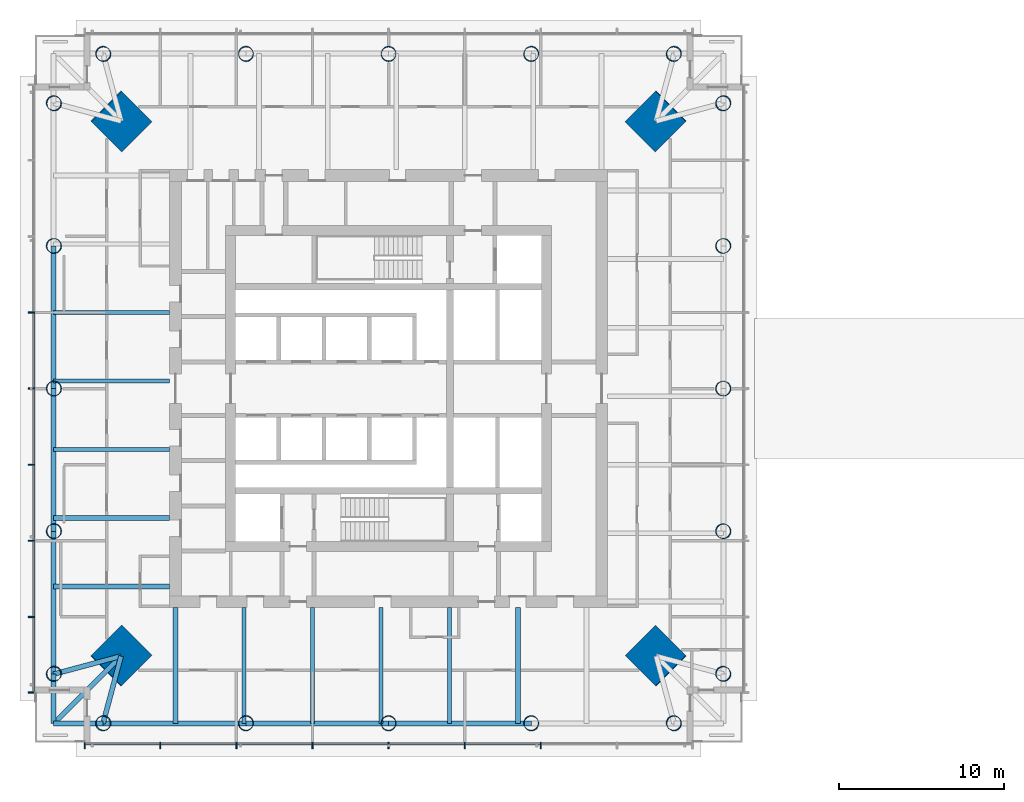
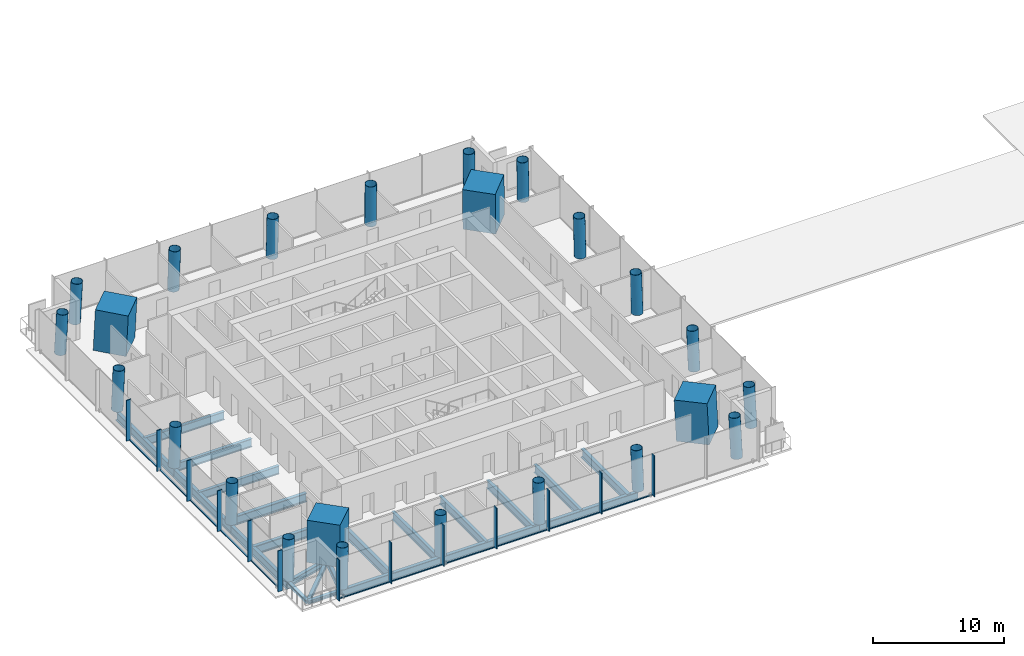
# One storey, part 1 of 16: 24 columns, 24 members, 22 beams, 2 elements without a shape of their own.
"""IFC4 building model written with IfcOpenShell, lengths in metres."""

from ifc_helpers import new_model, si_unit, direction, frame, origin, origin_2d, place, context, subcontext, project, spatial, rectangle, hollow_circle, i_section, extrude, material, material_profile, profile_set, type_object, element, aggregate, save


model = new_model("IFC4")

# Units and contexts
model_context = context("Model", 3, precision=1e-05, world=origin(), true_north=direction((0.0, 1.0)))
body_context = subcontext(model_context, "Body", "Model", "MODEL_VIEW")
ifc_project = project(units=[si_unit("LENGTHUNIT", "METRE"), si_unit("AREAUNIT", "SQUARE_METRE"), si_unit("VOLUMEUNIT", "CUBIC_METRE"), si_unit("PLANEANGLEUNIT", "RADIAN"), si_unit("MASSUNIT", "GRAM", prefix="KILO")], contexts=[model_context])

# Site, building, storey
site_placement = place(None, origin())
site = spatial("IfcSite", under=ifc_project, at=site_placement, CompositionType="ELEMENT")
building_placement = place(site_placement, origin())
building = spatial("IfcBuilding", under=site, at=building_placement, Name="Ostroluk Exchange", CompositionType="ELEMENT")
storey_placement = place(building_placement, frame((0.0, 0.0, 135.0)))
storey = spatial("IfcBuildingStorey", under=building, at=storey_placement, Name="L34", CompositionType="ELEMENT", Elevation=135.0)

# Columns
ifc_material_1 = material(Name="Concrete C50/60", Category="concrete")
ifc_material_profile_1 = material_profile(ifc_material_1, rectangle(XDim=2.60009765625, YDim=2.60009765625, at=origin_2d()), Name="RC 2600x2600")
ifc_profile_set_1 = profile_set([ifc_material_profile_1], Name="Concrete C50/60")
column_type_1 = type_object("IfcColumnType", Name="Mega column RC 2600x2600", PredefinedType="COLUMN", material=ifc_profile_set_1)
for number, where, z_axis, x_axis, name in (
    (1, (61.257080078125, 62.257080078125, 0.0), (-0.031898107953, -0.031898107953, 0.998981992539), (0.707106781187, -0.707106781187, 0.0), "T1 mega column NE"),
    (2, (28.742919921875, 62.257080078125, 0.0), (0.031898107953, -0.031898107953, 0.998981992539), (0.707106781187, 0.707106781187, 0.0), "T1 mega column NW"),
    (3, (28.742919921875, 29.742919921875, 0.0), (0.031898107953, 0.031898107953, 0.998981992539), (-0.707106781187, 0.707106781187, 0.0), "T1 mega column SW"),
    (4, (61.257080078125, 29.742919921875, 0.0), (-0.031898107953, 0.031898107953, 0.998981992539), (-0.707106781187, -0.707106781187, 0.0), "T1 mega column SE"),
):
    element("IfcColumn", number, at=place(storey_placement, frame(where, z_axis=z_axis, x_axis=x_axis)), inside=storey, type_object=column_type_1, Name=name, PredefinedType="COLUMN", context=body_context, shape_type="SweptSolid", body=[
        extrude(rectangle(XDim=2.60009765625, YDim=2.60009765625, at=origin_2d()), origin(), (0.0, 0.0, 1.0), 3.803955078125),
    ])
ifc_material_2 = material(Name="Steel S460", Category="steel")
ifc_material_profile_2 = material_profile(ifc_material_2, hollow_circle(Radius=0.45703125, WallThickness=0.030029296875, at=origin_2d()), Name="CHS 914x30")
ifc_profile_set_2 = profile_set([ifc_material_profile_2], Name="Steel S460")
column_type_2 = type_object("IfcColumnType", Name="Perimeter column CHS 914x30", PredefinedType="COLUMN", material=ifc_profile_set_2)
for number, where, z_axis, x_axis, name in (
    (5, (65.357177734375, 28.642822265625, 0.0), (-0.031962158256, 0.031962158256, 0.998977898093), (-0.707106781187, -0.707106781187, 0.0), "T1 east face column E0"),
    (6, (65.357177734375, 63.357177734375, 0.0), (-0.031962158256, -0.031962158256, 0.998977898093), (0.707106781187, -0.707106781187, 0.0), "T1 east face column E1"),
):
    element("IfcColumn", number, at=place(storey_placement, frame(where, z_axis=z_axis, x_axis=x_axis)), inside=storey, type_object=column_type_2, Name=name, PredefinedType="COLUMN", context=body_context, shape_type="SweptSolid", body=[
        extrude(hollow_circle(Radius=0.45703125, WallThickness=0.030029296875, at=origin_2d()), origin(), (0.0, 0.0, 1.0), 3.803955078125),
    ])
column_1_placement = place(storey_placement, frame((65.357177734375, 37.321533203125, 0.0), z_axis=(-0.031974442509, 0.015923015547, 0.999361842679), x_axis=(-0.445775033553, -0.895145027055, 0.0)))
element("IfcColumn", 7, at=column_1_placement, inside=storey, type_object=column_type_2, Name="T1 east face column I1", PredefinedType="COLUMN", context=body_context, shape_type="SweptSolid", body=[
    extrude(hollow_circle(Radius=0.45703125, WallThickness=0.030029296875, at=origin_2d()), origin(), (0.0, 0.0, 1.0), 3.802490234375),
])
column_2_placement = place(storey_placement, frame((65.357177734375, 46.0, 0.0), z_axis=(-0.031978496719, 0.0, 0.999488557087), x_axis=(0.0, -1.0, 0.0)))
element("IfcColumn", 8, at=column_2_placement, inside=storey, type_object=column_type_2, Name="T1 east face column I2", PredefinedType="COLUMN", context=body_context, shape_type="SweptSolid", body=[
    extrude(hollow_circle(Radius=0.45703125, WallThickness=0.030029296875, at=origin_2d()), origin(), (0.0, 0.0, 1.0), 3.802001953125),
])
column_3_placement = place(storey_placement, frame((65.357177734375, 54.678466796875, 0.0), z_axis=(-0.031974442509, -0.015923015547, 0.999361842679), x_axis=(0.445775033553, -0.895145027055, 0.0)))
element("IfcColumn", 9, at=column_3_placement, inside=storey, type_object=column_type_2, Name="T1 east face column I3", PredefinedType="COLUMN", context=body_context, shape_type="SweptSolid", body=[
    extrude(hollow_circle(Radius=0.45703125, WallThickness=0.030029296875, at=origin_2d()), origin(), (0.0, 0.0, 1.0), 3.802490234375),
])
for number, where, z_axis, x_axis, name in (
    (10, (62.357177734375, 66.357177734375, 0.0), (-0.031962158256, -0.031962158256, 0.998977898093), (0.707106781187, -0.707106781187, 0.0), "T1 north face column E0"),
    (11, (27.642822265625, 66.357177734375, 0.0), (0.031962158256, -0.031962158256, 0.998977898093), (0.707106781187, 0.707106781187, 0.0), "T1 north face column E1"),
):
    element("IfcColumn", number, at=place(storey_placement, frame(where, z_axis=z_axis, x_axis=x_axis)), inside=storey, type_object=column_type_2, Name=name, PredefinedType="COLUMN", context=body_context, shape_type="SweptSolid", body=[
        extrude(hollow_circle(Radius=0.45703125, WallThickness=0.030029296875, at=origin_2d()), origin(), (0.0, 0.0, 1.0), 3.803955078125),
    ])
column_4_placement = place(storey_placement, frame((53.678466796875, 66.357177734375, 0.0), z_axis=(-0.015923015547, -0.031974442509, 0.999361842679), x_axis=(0.895145027055, -0.445775033553, 0.0)))
element("IfcColumn", 12, at=column_4_placement, inside=storey, type_object=column_type_2, Name="T1 north face column I1", PredefinedType="COLUMN", context=body_context, shape_type="SweptSolid", body=[
    extrude(hollow_circle(Radius=0.45703125, WallThickness=0.030029296875, at=origin_2d()), origin(), (0.0, 0.0, 1.0), 3.802490234375),
])
column_5_placement = place(storey_placement, frame((45.0, 66.357177734375, 0.0), z_axis=(0.0, -0.031978496719, 0.999488557087), x_axis=(1.0, 0.0, 0.0)))
element("IfcColumn", 13, at=column_5_placement, inside=storey, type_object=column_type_2, Name="T1 north face column I2", PredefinedType="COLUMN", context=body_context, shape_type="SweptSolid", body=[
    extrude(hollow_circle(Radius=0.45703125, WallThickness=0.030029296875, at=origin_2d()), origin(), (0.0, 0.0, 1.0), 3.802001953125),
])
column_6_placement = place(storey_placement, frame((36.321533203125, 66.357177734375, 0.0), z_axis=(0.015923015547, -0.031974442509, 0.999361842679), x_axis=(0.895145027055, 0.445775033553, 0.0)))
element("IfcColumn", 14, at=column_6_placement, inside=storey, type_object=column_type_2, Name="T1 north face column I3", PredefinedType="COLUMN", context=body_context, shape_type="SweptSolid", body=[
    extrude(hollow_circle(Radius=0.45703125, WallThickness=0.030029296875, at=origin_2d()), origin(), (0.0, 0.0, 1.0), 3.802490234375),
])
for number, where, z_axis, x_axis, name in (
    (15, (24.642822265625, 63.357177734375, 0.0), (0.031962158256, -0.031962158256, 0.998977898093), (0.707106781187, 0.707106781187, 0.0), "T1 west face column E0"),
    (16, (24.642822265625, 28.642822265625, 0.0), (0.031962158256, 0.031962158256, 0.998977898093), (-0.707106781187, 0.707106781187, 0.0), "T1 west face column E1"),
):
    element("IfcColumn", number, at=place(storey_placement, frame(where, z_axis=z_axis, x_axis=x_axis)), inside=storey, type_object=column_type_2, Name=name, PredefinedType="COLUMN", context=body_context, shape_type="SweptSolid", body=[
        extrude(hollow_circle(Radius=0.45703125, WallThickness=0.030029296875, at=origin_2d()), origin(), (0.0, 0.0, 1.0), 3.803955078125),
    ])
column_7_placement = place(storey_placement, frame((24.642822265625, 54.678466796875, 0.0), z_axis=(0.031974442509, -0.015923015547, 0.999361842679), x_axis=(0.445775033553, 0.895145027055, 0.0)))
element("IfcColumn", 17, at=column_7_placement, inside=storey, type_object=column_type_2, Name="T1 west face column I1", PredefinedType="COLUMN", context=body_context, shape_type="SweptSolid", body=[
    extrude(hollow_circle(Radius=0.45703125, WallThickness=0.030029296875, at=origin_2d()), origin(), (0.0, 0.0, 1.0), 3.802490234375),
])
column_8_placement = place(storey_placement, frame((24.642822265625, 46.0, 0.0), z_axis=(0.031978496719, 0.0, 0.999488557087), x_axis=(0.0, 1.0, 0.0)))
element("IfcColumn", 18, at=column_8_placement, inside=storey, type_object=column_type_2, Name="T1 west face column I2", PredefinedType="COLUMN", context=body_context, shape_type="SweptSolid", body=[
    extrude(hollow_circle(Radius=0.45703125, WallThickness=0.030029296875, at=origin_2d()), origin(), (0.0, 0.0, 1.0), 3.802001953125),
])
column_9_placement = place(storey_placement, frame((24.642822265625, 37.321533203125, 0.0), z_axis=(0.031974442509, 0.015923015547, 0.999361842679), x_axis=(-0.445775033553, 0.895145027055, 0.0)))
element("IfcColumn", 19, at=column_9_placement, inside=storey, type_object=column_type_2, Name="T1 west face column I3", PredefinedType="COLUMN", context=body_context, shape_type="SweptSolid", body=[
    extrude(hollow_circle(Radius=0.45703125, WallThickness=0.030029296875, at=origin_2d()), origin(), (0.0, 0.0, 1.0), 3.802490234375),
])
for number, where, z_axis, x_axis, name in (
    (20, (27.642822265625, 25.642822265625, 0.0), (0.031962158256, 0.031962158256, 0.998977898093), (-0.707106781187, 0.707106781187, 0.0), "T1 south face column E0"),
    (21, (62.357177734375, 25.642822265625, 0.0), (-0.031962158256, 0.031962158256, 0.998977898093), (-0.707106781187, -0.707106781187, 0.0), "T1 south face column E1"),
):
    element("IfcColumn", number, at=place(storey_placement, frame(where, z_axis=z_axis, x_axis=x_axis)), inside=storey, type_object=column_type_2, Name=name, PredefinedType="COLUMN", context=body_context, shape_type="SweptSolid", body=[
        extrude(hollow_circle(Radius=0.45703125, WallThickness=0.030029296875, at=origin_2d()), origin(), (0.0, 0.0, 1.0), 3.803955078125),
    ])
column_10_placement = place(storey_placement, frame((36.321533203125, 25.642822265625, 0.0), z_axis=(0.015923015547, 0.031974442509, 0.999361842679), x_axis=(-0.895145027055, 0.445775033553, 0.0)))
element("IfcColumn", 22, at=column_10_placement, inside=storey, type_object=column_type_2, Name="T1 south face column I1", PredefinedType="COLUMN", context=body_context, shape_type="SweptSolid", body=[
    extrude(hollow_circle(Radius=0.45703125, WallThickness=0.030029296875, at=origin_2d()), origin(), (0.0, 0.0, 1.0), 3.802490234375),
])
column_11_placement = place(storey_placement, frame((45.0, 25.642822265625, 0.0), z_axis=(0.0, 0.031978496719, 0.999488557087), x_axis=(-1.0, 0.0, 0.0)))
element("IfcColumn", 23, at=column_11_placement, inside=storey, type_object=column_type_2, Name="T1 south face column I2", PredefinedType="COLUMN", context=body_context, shape_type="SweptSolid", body=[
    extrude(hollow_circle(Radius=0.45703125, WallThickness=0.030029296875, at=origin_2d()), origin(), (0.0, 0.0, 1.0), 3.802001953125),
])
column_12_placement = place(storey_placement, frame((53.678466796875, 25.642822265625, 0.0), z_axis=(-0.015923015547, 0.031974442509, 0.999361842679), x_axis=(-0.895145027055, -0.445775033553, 0.0)))
element("IfcColumn", 24, at=column_12_placement, inside=storey, type_object=column_type_2, Name="T1 south face column I3", PredefinedType="COLUMN", context=body_context, shape_type="SweptSolid", body=[
    extrude(hollow_circle(Radius=0.45703125, WallThickness=0.030029296875, at=origin_2d()), origin(), (0.0, 0.0, 1.0), 3.802490234375),
])

# Beams
ifc_material_3 = material(Name="Steel S355", Category="steel")
ifc_material_profile_3 = material_profile(ifc_material_3, i_section(OverallWidth=0.300048828125, OverallDepth=0.300048828125, WebThickness=0.010986328125, FlangeThickness=0.01904296875, FilletRadius=0.027099609375, at=origin_2d()), Name="HEB 300")
ifc_profile_set_3 = profile_set([ifc_material_profile_3], Name="Steel S355")
beam_type_1 = type_object("IfcBeamType", Name="Balcony beam HEB 300", PredefinedType="BEAM", material=ifc_profile_set_3)
for number, where, z_axis, x_axis, name in (
    (25, (24.642822265625, 28.642822265625, -0.330078125), (0.0, -1.0, 0.0), (1.0, 0.0, 0.0), "T1 west balcony beam a"),
    (26, (27.642822265625, 25.642822265625, -0.330078125), (-1.0, 0.0, 0.0), (0.0, -1.0, 0.0), "T1 west balcony beam b"),
):
    element("IfcBeam", number, at=place(storey_placement, frame(where, z_axis=z_axis, x_axis=x_axis)), inside=storey, type_object=beam_type_1, Name=name, PredefinedType="BEAM", context=body_context, shape_type="SweptSolid", body=[
        extrude(i_section(OverallWidth=0.300048828125, OverallDepth=0.300048828125, WebThickness=0.010986328125, FlangeThickness=0.01904296875, FilletRadius=0.027099609375, at=origin_2d()), origin(), (0.0, 0.0, 1.0), 3.0),
    ])
beam_1_placement = place(storey_placement, frame((28.742919921875, 29.742919921875, -0.330078125), z_axis=(-0.707106781187, -0.707106781187, 0.0), x_axis=(0.707106781187, -0.707106781187, 0.0)))
element("IfcBeam", 27, at=beam_1_placement, inside=storey, type_object=beam_type_1, Name="T1 west balcony beam c", PredefinedType="BEAM", context=body_context, shape_type="SweptSolid", body=[
    extrude(i_section(OverallWidth=0.300048828125, OverallDepth=0.300048828125, WebThickness=0.010986328125, FlangeThickness=0.01904296875, FilletRadius=0.027099609375, at=origin_2d()), origin(), (0.0, 0.0, 1.0), 5.79833984375),
])
ifc_material_4 = material(Name="Steel S355", Category="steel")
ifc_material_profile_4 = material_profile(ifc_material_4, i_section(OverallWidth=0.300048828125, OverallDepth=0.550048828125, WebThickness=0.014892578125, FlangeThickness=0.029052734375, FilletRadius=0.027099609375, at=origin_2d()), Name="HEB 550")
ifc_profile_set_4 = profile_set([ifc_material_profile_4], Name="Steel S355")
beam_type_2 = type_object("IfcBeamType", Name="Corner edge beam HEB 550", PredefinedType="SPANDREL", material=ifc_profile_set_4)
for number, where, z_axis, x_axis, name in (
    (28, (28.742919921875, 29.742919921875, -0.455078125), (-0.965838624319, -0.259144268261, 0.0), (0.259144268261, -0.965838624319, 0.0), "T1 west corner edge beam a"),
    (29, (28.742919921875, 29.742919921875, -0.455078125), (-0.259144268261, -0.965838624319, 0.0), (0.965838624319, -0.259144268261, 0.0), "T1 west corner edge beam b"),
):
    element("IfcBeam", number, at=place(storey_placement, frame(where, z_axis=z_axis, x_axis=x_axis)), inside=storey, type_object=beam_type_2, Name=name, PredefinedType="SPANDREL", context=body_context, shape_type="SweptSolid", body=[
        extrude(i_section(OverallWidth=0.300048828125, OverallDepth=0.550048828125, WebThickness=0.014892578125, FlangeThickness=0.029052734375, FilletRadius=0.027099609375, at=origin_2d()), origin(), (0.0, 0.0, 1.0), 4.2451171875),
    ])
ifc_material_5 = material(Name="Steel S355", Category="steel")
ifc_material_profile_5 = material_profile(ifc_material_5, i_section(OverallWidth=0.302978515625, OverallDepth=0.81396484375, WebThickness=0.02099609375, FlangeThickness=0.0400390625, FilletRadius=0.030029296875, at=origin_2d()), Name="HEM 800")
ifc_profile_set_5 = profile_set([ifc_material_profile_5], Name="Steel S355")
beam_type_3 = type_object("IfcBeamType", Name="Floor beam HEM 800", PredefinedType="BEAM", material=ifc_profile_set_5)
for number, where, z_axis, x_axis, name in (
    (30, (31.699951171875, 38.133056640625, -0.5869140625), (-1.0, 0.0, 0.0), (0.0, -1.0, 0.0), "T1 west floor beam 5"),
    (31, (31.699951171875, 33.9697265625, -0.5869140625), (-1.0, 0.0, 0.0), (0.0, -1.0, 0.0), "T1 west floor beam 6"),
    (32, (52.866943359375, 32.699951171875, -0.5869140625), (0.0, -1.0, 0.0), (1.0, 0.0, 0.0), "T1 south floor beam 5"),
):
    element("IfcBeam", number, at=place(storey_placement, frame(where, z_axis=z_axis, x_axis=x_axis)), inside=storey, type_object=beam_type_3, Name=name, PredefinedType="BEAM", context=body_context, shape_type="SweptSolid", body=[
        extrude(i_section(OverallWidth=0.302978515625, OverallDepth=0.81396484375, WebThickness=0.02099609375, FlangeThickness=0.0400390625, FilletRadius=0.030029296875, at=origin_2d()), origin(), (0.0, 0.0, 1.0), 7.05712890625),
    ])
ifc_material_6 = material(Name="Steel S355", Category="steel")
ifc_material_profile_6 = material_profile(ifc_material_6, i_section(OverallWidth=0.26708984375, OverallDepth=0.761962890625, WebThickness=0.014404296875, FlangeThickness=0.021484375, FilletRadius=0.01708984375, at=origin_2d()), Name="IPE 750x173")
ifc_profile_set_6 = profile_set([ifc_material_profile_6], Name="Steel S355")
beam_type_4 = type_object("IfcBeamType", Name="Floor beam IPE 750x173", PredefinedType="BEAM", material=ifc_profile_set_6)
for number, where, z_axis, x_axis, name in (
    (33, (31.699951171875, 50.623291015625, -0.56103515625), (-1.0, 0.0, 0.0), (0.0, -1.0, 0.0), "T1 west floor beam 2"),
    (34, (31.699951171875, 46.459716796875, -0.56103515625), (-1.0, 0.0, 0.0), (0.0, -1.0, 0.0), "T1 west floor beam 3"),
    (35, (31.699951171875, 42.29638671875, -0.56103515625), (-1.0, 0.0, 0.0), (0.0, -1.0, 0.0), "T1 west floor beam 4"),
    (36, (36.21337890625, 32.699951171875, -0.56103515625), (0.0, -1.0, 0.0), (1.0, 0.0, 0.0), "T1 south floor beam 1"),
    (37, (40.376708984375, 32.699951171875, -0.56103515625), (0.0, -1.0, 0.0), (1.0, 0.0, 0.0), "T1 south floor beam 2"),
    (38, (44.540283203125, 32.699951171875, -0.56103515625), (0.0, -1.0, 0.0), (1.0, 0.0, 0.0), "T1 south floor beam 3"),
    (39, (48.70361328125, 32.699951171875, -0.56103515625), (0.0, -1.0, 0.0), (1.0, 0.0, 0.0), "T1 south floor beam 4"),
):
    element("IfcBeam", number, at=place(storey_placement, frame(where, z_axis=z_axis, x_axis=x_axis)), inside=storey, type_object=beam_type_4, Name=name, PredefinedType="BEAM", context=body_context, shape_type="SweptSolid", body=[
        extrude(i_section(OverallWidth=0.26708984375, OverallDepth=0.761962890625, WebThickness=0.014404296875, FlangeThickness=0.021484375, FilletRadius=0.01708984375, at=origin_2d()), origin(), (0.0, 0.0, 1.0), 7.05712890625),
    ])
ifc_material_7 = material(Name="Steel S355", Category="steel")
ifc_material_profile_7 = material_profile(ifc_material_7, i_section(OverallWidth=0.300048828125, OverallDepth=0.89990234375, WebThickness=0.0185546875, FlangeThickness=0.034912109375, FilletRadius=0.030029296875, at=origin_2d()), Name="HEB 900")
ifc_profile_set_7 = profile_set([ifc_material_profile_7], Name="Steel S355")
beam_type_5 = type_object("IfcBeamType", Name="Girder HEB 900", PredefinedType="BEAM", material=ifc_profile_set_7)
beam_2_placement = place(storey_placement, frame((32.050048828125, 32.699951171875, -0.6298828125), z_axis=(0.0, -1.0, 0.0), x_axis=(1.0, 0.0, 0.0)))
element("IfcBeam", 40, at=beam_2_placement, inside=storey, type_object=beam_type_5, Name="T1 west girder", PredefinedType="BEAM", context=body_context, shape_type="SweptSolid", body=[
    extrude(i_section(OverallWidth=0.300048828125, OverallDepth=0.89990234375, WebThickness=0.0185546875, FlangeThickness=0.034912109375, FilletRadius=0.030029296875, at=origin_2d()), origin(), (0.0, 0.0, 1.0), 7.05712890625),
])
ifc_material_8 = material(Name="Steel S355", Category="steel")
ifc_material_profile_8 = material_profile(ifc_material_8, i_section(OverallWidth=0.300048828125, OverallDepth=0.800048828125, WebThickness=0.017578125, FlangeThickness=0.032958984375, FilletRadius=0.030029296875, at=origin_2d()), Name="HEB 800")
ifc_profile_set_8 = profile_set([ifc_material_profile_8], Name="Steel S355")
beam_type_6 = type_object("IfcBeamType", Name="Moment-connected edge beam HEB 800", PredefinedType="SPANDREL", material=ifc_profile_set_8)
for number, where, z_axis, x_axis, name in (
    (41, (24.642822265625, 54.678466796875, -0.580078125), (0.0, -1.0, 0.0), (1.0, 0.0, 0.0), "T1 west edge beam 2"),
    (42, (24.642822265625, 46.0, -0.580078125), (0.0, -1.0, 0.0), (1.0, 0.0, 0.0), "T1 west edge beam 3"),
):
    element("IfcBeam", number, at=place(storey_placement, frame(where, z_axis=z_axis, x_axis=x_axis)), inside=storey, type_object=beam_type_6, Name=name, PredefinedType="SPANDREL", context=body_context, shape_type="SweptSolid", body=[
        extrude(i_section(OverallWidth=0.300048828125, OverallDepth=0.800048828125, WebThickness=0.017578125, FlangeThickness=0.032958984375, FilletRadius=0.030029296875, at=origin_2d()), origin(), (0.0, 0.0, 1.0), 8.678466796875),
    ])
for number, where, z_axis, x_axis, name in (
    (43, (24.642822265625, 37.321533203125, -0.580078125), (0.0, -1.0, 0.0), (1.0, 0.0, 0.0), "T1 west edge beam 4"),
    (44, (27.642822265625, 25.642822265625, -0.580078125), (1.0, 0.0, 0.0), (0.0, 1.0, 0.0), "T1 south edge beam 1"),
):
    element("IfcBeam", number, at=place(storey_placement, frame(where, z_axis=z_axis, x_axis=x_axis)), inside=storey, type_object=beam_type_6, Name=name, PredefinedType="SPANDREL", context=body_context, shape_type="SweptSolid", body=[
        extrude(i_section(OverallWidth=0.300048828125, OverallDepth=0.800048828125, WebThickness=0.017578125, FlangeThickness=0.032958984375, FilletRadius=0.030029296875, at=origin_2d()), origin(), (0.0, 0.0, 1.0), 8.6787109375),
    ])
for number, where, z_axis, x_axis, name in (
    (45, (36.321533203125, 25.642822265625, -0.580078125), (1.0, 0.0, 0.0), (0.0, 1.0, 0.0), "T1 south edge beam 2"),
    (46, (45.0, 25.642822265625, -0.580078125), (1.0, 0.0, 0.0), (0.0, 1.0, 0.0), "T1 south edge beam 3"),
):
    element("IfcBeam", number, at=place(storey_placement, frame(where, z_axis=z_axis, x_axis=x_axis)), inside=storey, type_object=beam_type_6, Name=name, PredefinedType="SPANDREL", context=body_context, shape_type="SweptSolid", body=[
        extrude(i_section(OverallWidth=0.300048828125, OverallDepth=0.800048828125, WebThickness=0.017578125, FlangeThickness=0.032958984375, FilletRadius=0.030029296875, at=origin_2d()), origin(), (0.0, 0.0, 1.0), 8.678466796875),
    ])

# Curtain wall, members
ifc_material_9 = material(Name="Laminated clear glass", Category="glass")
curtain_wall_type = type_object("IfcCurtainWallType", Name="Office tower facade", PredefinedType="USERDEFINED", material=ifc_material_9)
curtain_wall_1_placement = place(storey_placement, origin())
curtain_wall_1 = element("IfcCurtainWall", 47, at=curtain_wall_1_placement, inside=storey, type_object=curtain_wall_type, Name="Office tower south facade L34", ObjectType="UNITISED CURTAIN WALL", PredefinedType="USERDEFINED")
ifc_material_10 = material(Name="Aluminium mullion", Category="aluminium")
ifc_material_profile_9 = material_profile(ifc_material_10, rectangle(XDim=0.14990234375, YDim=0.080078125, at=origin_2d()), Name="Sill transom 80 x 150")
ifc_profile_set_9 = profile_set([ifc_material_profile_9], Name="Aluminium mullion")
member_type_1 = type_object("IfcMemberType", Name="Sill transom 80 x 150", PredefinedType="USERDEFINED", material=ifc_profile_set_9)
member_1_placement = place(storey_placement, frame((26.580078125, 24.425048828125, 0.0400390625), z_axis=(1.0, 0.0, 0.0), x_axis=(0.0, 1.0, 0.0)))
member_1 = element("IfcMember", 48, at=member_1_placement, type_object=member_type_1, Name="CW-O1 transom 1.1", ObjectType="TRANSOM", PredefinedType="USERDEFINED", context=body_context, shape_type="SweptSolid", body=[
    extrude(rectangle(XDim=0.14990234375, YDim=0.080078125, at=origin_2d()), origin(), (0.0, 0.0, 1.0), 4.5048828125),
])
member_2_placement = place(storey_placement, frame((31.1650390625, 24.425048828125, 0.0400390625), z_axis=(1.0, 0.0, 0.0), x_axis=(0.0, 1.0, 0.0)))
member_2 = element("IfcMember", 49, at=member_2_placement, type_object=member_type_1, Name="CW-O1 transom 2.1", ObjectType="TRANSOM", PredefinedType="USERDEFINED", context=body_context, shape_type="SweptSolid", body=[
    extrude(rectangle(XDim=0.14990234375, YDim=0.080078125, at=origin_2d()), origin(), (0.0, 0.0, 1.0), 4.544921875),
])
member_3_placement = place(storey_placement, frame((35.7900390625, 24.425048828125, 0.0400390625), z_axis=(1.0, 0.0, 0.0), x_axis=(0.0, 1.0, 0.0)))
member_3 = element("IfcMember", 50, at=member_3_placement, type_object=member_type_1, Name="CW-O1 transom 3.1", ObjectType="TRANSOM", PredefinedType="USERDEFINED", context=body_context, shape_type="SweptSolid", body=[
    extrude(rectangle(XDim=0.14990234375, YDim=0.080078125, at=origin_2d()), origin(), (0.0, 0.0, 1.0), 4.544921875),
])
member_4_placement = place(storey_placement, frame((40.4150390625, 24.425048828125, 0.0400390625), z_axis=(1.0, 0.0, 0.0), x_axis=(0.0, 1.0, 0.0)))
member_4 = element("IfcMember", 51, at=member_4_placement, type_object=member_type_1, Name="CW-O1 transom 4.1", ObjectType="TRANSOM", PredefinedType="USERDEFINED", context=body_context, shape_type="SweptSolid", body=[
    extrude(rectangle(XDim=0.14990234375, YDim=0.080078125, at=origin_2d()), origin(), (0.0, 0.0, 1.0), 4.544921875),
])
member_5_placement = place(storey_placement, frame((45.0400390625, 24.425048828125, 0.0400390625), z_axis=(1.0, 0.0, 0.0), x_axis=(0.0, 1.0, 0.0)))
member_5 = element("IfcMember", 52, at=member_5_placement, type_object=member_type_1, Name="CW-O1 transom 5.1", ObjectType="TRANSOM", PredefinedType="USERDEFINED", context=body_context, shape_type="SweptSolid", body=[
    extrude(rectangle(XDim=0.14990234375, YDim=0.080078125, at=origin_2d()), origin(), (0.0, 0.0, 1.0), 4.544921875),
])
member_6_placement = place(storey_placement, frame((49.6650390625, 24.425048828125, 0.0400390625), z_axis=(1.0, 0.0, 0.0), x_axis=(0.0, 1.0, 0.0)))
member_6 = element("IfcMember", 53, at=member_6_placement, type_object=member_type_1, Name="CW-O1 transom 6.1", ObjectType="TRANSOM", PredefinedType="USERDEFINED", context=body_context, shape_type="SweptSolid", body=[
    extrude(rectangle(XDim=0.14990234375, YDim=0.080078125, at=origin_2d()), origin(), (0.0, 0.0, 1.0), 4.544921875),
])

curtain_wall_2_placement = place(storey_placement, origin())
curtain_wall_2 = element("IfcCurtainWall", 54, at=curtain_wall_2_placement, inside=storey, type_object=curtain_wall_type, Name="Office tower west facade L34", ObjectType="UNITISED CURTAIN WALL", PredefinedType="USERDEFINED")
member_7_placement = place(storey_placement, frame((23.425048828125, 50.5849609375, 0.0400390625), z_axis=(0.0, -1.0, 0.0), x_axis=(1.0, 0.0, 0.0)))
member_7 = element("IfcMember", 55, at=member_7_placement, type_object=member_type_1, Name="CW-O1 transom 4.1", ObjectType="TRANSOM", PredefinedType="USERDEFINED", context=body_context, shape_type="SweptSolid", body=[
    extrude(rectangle(XDim=0.14990234375, YDim=0.080078125, at=origin_2d()), origin(), (0.0, 0.0, 1.0), 4.544921875),
])
member_8_placement = place(storey_placement, frame((23.425048828125, 45.9599609375, 0.0400390625), z_axis=(0.0, -1.0, 0.0), x_axis=(1.0, 0.0, 0.0)))
member_8 = element("IfcMember", 56, at=member_8_placement, type_object=member_type_1, Name="CW-O1 transom 5.1", ObjectType="TRANSOM", PredefinedType="USERDEFINED", context=body_context, shape_type="SweptSolid", body=[
    extrude(rectangle(XDim=0.14990234375, YDim=0.080078125, at=origin_2d()), origin(), (0.0, 0.0, 1.0), 4.544921875),
])
member_9_placement = place(storey_placement, frame((23.425048828125, 41.3349609375, 0.0400390625), z_axis=(0.0, -1.0, 0.0), x_axis=(1.0, 0.0, 0.0)))
member_9 = element("IfcMember", 57, at=member_9_placement, type_object=member_type_1, Name="CW-O1 transom 6.1", ObjectType="TRANSOM", PredefinedType="USERDEFINED", context=body_context, shape_type="SweptSolid", body=[
    extrude(rectangle(XDim=0.14990234375, YDim=0.080078125, at=origin_2d()), origin(), (0.0, 0.0, 1.0), 4.544921875),
])
member_10_placement = place(storey_placement, frame((23.425048828125, 36.7099609375, 0.0400390625), z_axis=(0.0, -1.0, 0.0), x_axis=(1.0, 0.0, 0.0)))
member_10 = element("IfcMember", 58, at=member_10_placement, type_object=member_type_1, Name="CW-O1 transom 7.1", ObjectType="TRANSOM", PredefinedType="USERDEFINED", context=body_context, shape_type="SweptSolid", body=[
    extrude(rectangle(XDim=0.14990234375, YDim=0.080078125, at=origin_2d()), origin(), (0.0, 0.0, 1.0), 4.544921875),
])
member_11_placement = place(storey_placement, frame((23.425048828125, 32.0849609375, 0.0400390625), z_axis=(0.0, -1.0, 0.0), x_axis=(1.0, 0.0, 0.0)))
member_11 = element("IfcMember", 59, at=member_11_placement, type_object=member_type_1, Name="CW-O1 transom 8.1", ObjectType="TRANSOM", PredefinedType="USERDEFINED", context=body_context, shape_type="SweptSolid", body=[
    extrude(rectangle(XDim=0.14990234375, YDim=0.080078125, at=origin_2d()), origin(), (0.0, 0.0, 1.0), 4.5048828125),
])

# Member
ifc_material_11 = material(Name="Aluminium mullion with limestone facing", Category="masonry")
ifc_material_profile_10 = material_profile(ifc_material_11, rectangle(XDim=0.39990234375, YDim=0.080078125, at=origin_2d()), Name="Tracery mullion 80 x 400")
ifc_profile_set_10 = profile_set([ifc_material_profile_10], Name="Aluminium mullion with limestone facing")
member_type_2 = type_object("IfcMemberType", Name="Tracery mullion 80 x 400", PredefinedType="MULLION", material=ifc_profile_set_10)
member_12_placement = place(storey_placement, frame((26.5400390625, 24.300048828125, 0.0), z_axis=(0.0, 0.0, 1.0), x_axis=(0.0, 1.0, 0.0)))
member_12 = element("IfcMember", 60, at=member_12_placement, type_object=member_type_2, Name="CW-O1 mullion 1", PredefinedType="MULLION", context=body_context, shape_type="SweptSolid", body=[
    extrude(rectangle(XDim=0.39990234375, YDim=0.080078125, at=origin_2d()), origin(), (0.0, 0.0, 1.0), 3.800048828125),
])

member_13_placement = place(storey_placement, frame((31.125, 24.300048828125, 0.0), z_axis=(0.0, 0.0, 1.0), x_axis=(0.0, 1.0, 0.0)))
member_13 = element("IfcMember", 61, at=member_13_placement, type_object=member_type_2, Name="CW-O1 mullion 2", PredefinedType="MULLION", context=body_context, shape_type="SweptSolid", body=[
    extrude(rectangle(XDim=0.39990234375, YDim=0.080078125, at=origin_2d()), origin(), (0.0, 0.0, 1.0), 3.800048828125),
])

member_14_placement = place(storey_placement, frame((35.75, 24.300048828125, 0.0), z_axis=(0.0, 0.0, 1.0), x_axis=(0.0, 1.0, 0.0)))
member_14 = element("IfcMember", 62, at=member_14_placement, type_object=member_type_2, Name="CW-O1 mullion 3", PredefinedType="MULLION", context=body_context, shape_type="SweptSolid", body=[
    extrude(rectangle(XDim=0.39990234375, YDim=0.080078125, at=origin_2d()), origin(), (0.0, 0.0, 1.0), 3.800048828125),
])

member_15_placement = place(storey_placement, frame((40.375, 24.300048828125, 0.0), z_axis=(0.0, 0.0, 1.0), x_axis=(0.0, 1.0, 0.0)))
member_15 = element("IfcMember", 63, at=member_15_placement, type_object=member_type_2, Name="CW-O1 mullion 4", PredefinedType="MULLION", context=body_context, shape_type="SweptSolid", body=[
    extrude(rectangle(XDim=0.39990234375, YDim=0.080078125, at=origin_2d()), origin(), (0.0, 0.0, 1.0), 3.800048828125),
])

member_16_placement = place(storey_placement, frame((45.0, 24.300048828125, 0.0), z_axis=(0.0, 0.0, 1.0), x_axis=(0.0, 1.0, 0.0)))
member_16 = element("IfcMember", 64, at=member_16_placement, type_object=member_type_2, Name="CW-O1 mullion 5", PredefinedType="MULLION", context=body_context, shape_type="SweptSolid", body=[
    extrude(rectangle(XDim=0.39990234375, YDim=0.080078125, at=origin_2d()), origin(), (0.0, 0.0, 1.0), 3.800048828125),
])

member_17_placement = place(storey_placement, frame((49.625, 24.300048828125, 0.0), z_axis=(0.0, 0.0, 1.0), x_axis=(0.0, 1.0, 0.0)))
member_17 = element("IfcMember", 65, at=member_17_placement, type_object=member_type_2, Name="CW-O1 mullion 6", PredefinedType="MULLION", context=body_context, shape_type="SweptSolid", body=[
    extrude(rectangle(XDim=0.39990234375, YDim=0.080078125, at=origin_2d()), origin(), (0.0, 0.0, 1.0), 3.800048828125),
])

member_18_placement = place(storey_placement, frame((54.25, 24.300048828125, 0.0), z_axis=(0.0, 0.0, 1.0), x_axis=(0.0, 1.0, 0.0)))
member_18 = element("IfcMember", 66, at=member_18_placement, type_object=member_type_2, Name="CW-O1 mullion 7", PredefinedType="MULLION", context=body_context, shape_type="SweptSolid", body=[
    extrude(rectangle(XDim=0.39990234375, YDim=0.080078125, at=origin_2d()), origin(), (0.0, 0.0, 1.0), 3.800048828125),
])

aggregate(curtain_wall_1, [member_12, member_13, member_14, member_15, member_16, member_17, member_18, member_1, member_2, member_3, member_4, member_5, member_6])

member_19_placement = place(storey_placement, frame((23.300048828125, 50.625, 0.0), z_axis=(0.0, 0.0, 1.0), x_axis=(1.0, 0.0, 0.0)))
member_19 = element("IfcMember", 67, at=member_19_placement, type_object=member_type_2, Name="CW-O1 mullion 4", PredefinedType="MULLION", context=body_context, shape_type="SweptSolid", body=[
    extrude(rectangle(XDim=0.39990234375, YDim=0.080078125, at=origin_2d()), origin(), (0.0, 0.0, 1.0), 3.800048828125),
])

member_20_placement = place(storey_placement, frame((23.300048828125, 46.0, 0.0), z_axis=(0.0, 0.0, 1.0), x_axis=(1.0, 0.0, 0.0)))
member_20 = element("IfcMember", 68, at=member_20_placement, type_object=member_type_2, Name="CW-O1 mullion 5", PredefinedType="MULLION", context=body_context, shape_type="SweptSolid", body=[
    extrude(rectangle(XDim=0.39990234375, YDim=0.080078125, at=origin_2d()), origin(), (0.0, 0.0, 1.0), 3.800048828125),
])

member_21_placement = place(storey_placement, frame((23.300048828125, 41.375, 0.0), z_axis=(0.0, 0.0, 1.0), x_axis=(1.0, 0.0, 0.0)))
member_21 = element("IfcMember", 69, at=member_21_placement, type_object=member_type_2, Name="CW-O1 mullion 6", PredefinedType="MULLION", context=body_context, shape_type="SweptSolid", body=[
    extrude(rectangle(XDim=0.39990234375, YDim=0.080078125, at=origin_2d()), origin(), (0.0, 0.0, 1.0), 3.800048828125),
])

member_22_placement = place(storey_placement, frame((23.300048828125, 36.75, 0.0), z_axis=(0.0, 0.0, 1.0), x_axis=(1.0, 0.0, 0.0)))
member_22 = element("IfcMember", 70, at=member_22_placement, type_object=member_type_2, Name="CW-O1 mullion 7", PredefinedType="MULLION", context=body_context, shape_type="SweptSolid", body=[
    extrude(rectangle(XDim=0.39990234375, YDim=0.080078125, at=origin_2d()), origin(), (0.0, 0.0, 1.0), 3.800048828125),
])

member_23_placement = place(storey_placement, frame((23.300048828125, 32.125, 0.0), z_axis=(0.0, 0.0, 1.0), x_axis=(1.0, 0.0, 0.0)))
member_23 = element("IfcMember", 71, at=member_23_placement, type_object=member_type_2, Name="CW-O1 mullion 8", PredefinedType="MULLION", context=body_context, shape_type="SweptSolid", body=[
    extrude(rectangle(XDim=0.39990234375, YDim=0.080078125, at=origin_2d()), origin(), (0.0, 0.0, 1.0), 3.800048828125),
])

member_24_placement = place(storey_placement, frame((23.300048828125, 27.5400390625, 0.0), z_axis=(0.0, 0.0, 1.0), x_axis=(1.0, 0.0, 0.0)))
member_24 = element("IfcMember", 72, at=member_24_placement, type_object=member_type_2, Name="CW-O1 mullion 9", PredefinedType="MULLION", context=body_context, shape_type="SweptSolid", body=[
    extrude(rectangle(XDim=0.39990234375, YDim=0.080078125, at=origin_2d()), origin(), (0.0, 0.0, 1.0), 3.800048828125),
])

aggregate(curtain_wall_2, [member_19, member_20, member_21, member_22, member_23, member_24, member_7, member_8, member_9, member_10, member_11])

save(model, "model.ifc")
